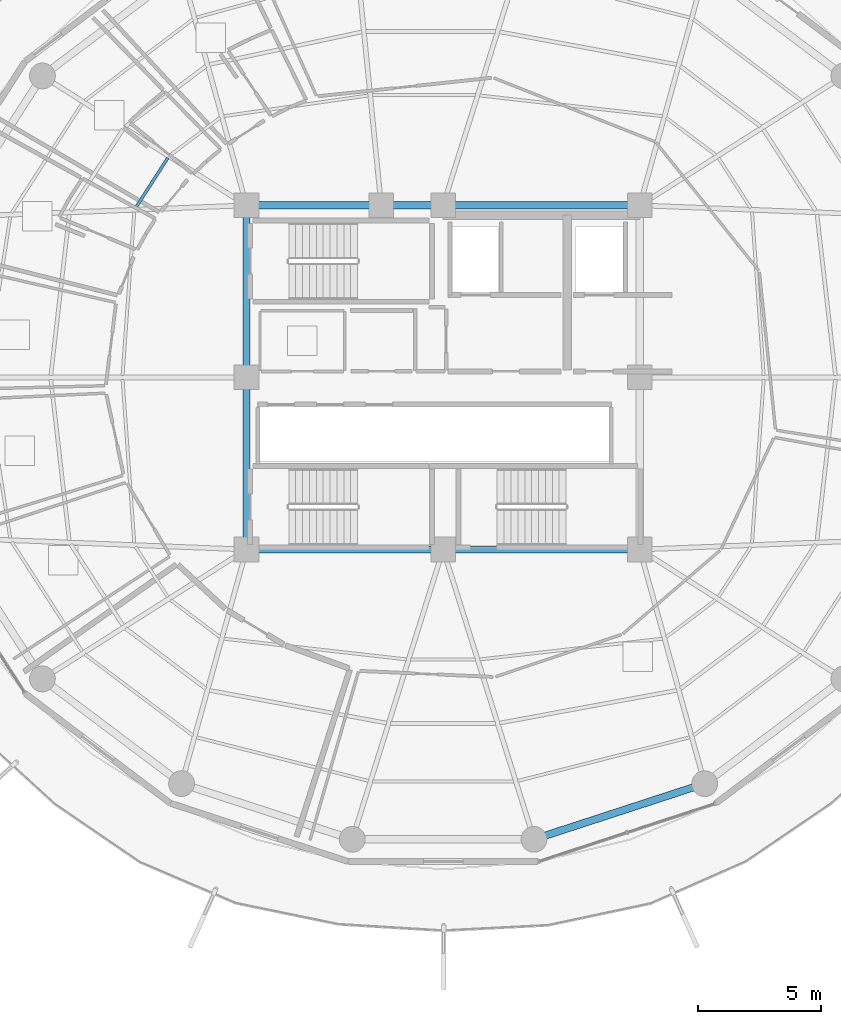
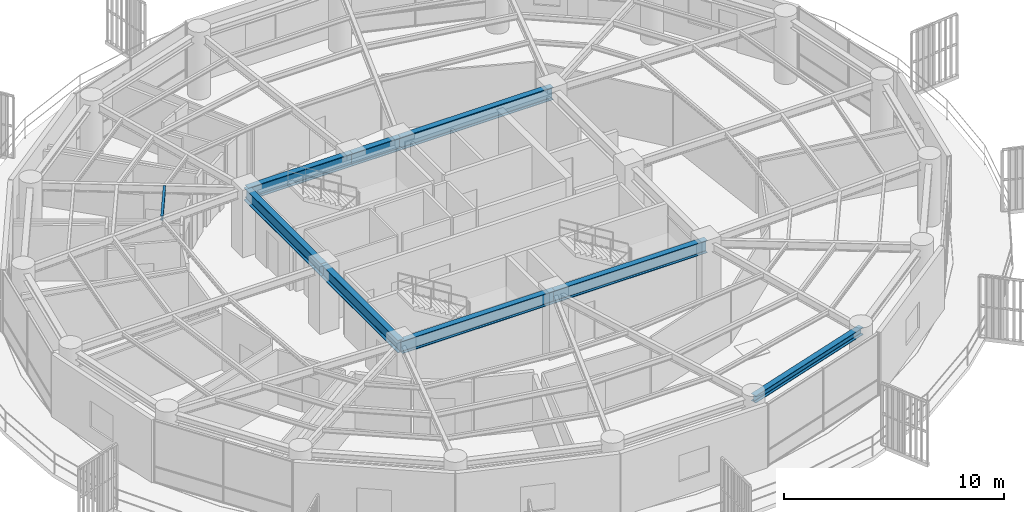
# One storey, part 9 of 31: 9 beams.
"""IFC4 building model written with IfcOpenShell, lengths in metres."""

import ifcopenshell
import ifcopenshell.guid

model = None  # the IFC model being written
_history = None  # IfcOwnerHistory: only IFC2X3 demands one
_inside = {}  # id of a spatial element -> (the spatial element, [elements in it])
_under = {}  # id of a project, library or spatial element -> (it, [spatial elements below it])
_declared = {}  # id of a project -> (the project, [libraries it declares])
_typed = {}  # id of a type object -> (the type object, [elements of that type])
_made_of = {}  # id of a material, layer set ... -> (it, [elements and type objects made of it])


def new_model(schema):
    """Start an empty IFC model of exactly this schema.

    Asked for "IFC4X3", IfcOpenShell would pick the latest addendum, in which some entities
    have other attributes; the version numbers below select the first issue.
    IFC2X3 requires an IfcOwnerHistory on every rooted entity: one is made here for all.
    """
    global model, _history
    if schema == "IFC4X3":
        model = ifcopenshell.file(schema_version=(4, 3, 0, 0))
    else:
        model = ifcopenshell.file(schema=schema)
    _inside.clear()
    _under.clear()
    _declared.clear()
    _typed.clear()
    _made_of.clear()
    _history = None
    if model.schema == "IFC2X3":
        org = make("IfcOrganization", Name="unknown")
        user = make(
            "IfcPersonAndOrganization",
            ThePerson=make("IfcPerson", FamilyName="unknown"),
            TheOrganization=org,
        )
        app = make(
            "IfcApplication",
            ApplicationDeveloper=org,
            Version="unknown",
            ApplicationFullName="unknown",
            ApplicationIdentifier="unknown",
        )
        _history = make(
            "IfcOwnerHistory",
            OwningUser=user,
            OwningApplication=app,
            ChangeAction="ADDED",
            CreationDate=0,
        )
    return model


def make(cls, **values):
    """One entity of the class cls with the attributes given. An attribute that is None is left unset."""
    return model.create_entity(
        cls, **{name: value for name, value in values.items() if value is not None}
    )


def rooted(cls, **values):
    """An entity with a GlobalId (a new one), such as an element, a storey or a relation."""
    return make(cls, GlobalId=ifcopenshell.guid.new(), OwnerHistory=_history, **values)


def si_unit(unit_type, name, prefix=None):
    """IfcSIUnit, for example si_unit("LENGTHUNIT", "METRE", prefix="MILLI")."""
    return make("IfcSIUnit", UnitType=unit_type, Prefix=prefix, Name=name)


def assignment(units):
    """IfcUnitAssignment: the units of a project."""
    return None if units is None else make("IfcUnitAssignment", Units=units)


def point(xyz):
    """IfcCartesianPoint."""
    return None if xyz is None else make("IfcCartesianPoint", Coordinates=xyz)


def direction(xyz):
    """IfcDirection."""
    return None if xyz is None else make("IfcDirection", DirectionRatios=xyz)


def frame(location, z_axis=None, x_axis=None):
    """IfcAxis2Placement3D, a coordinate frame: its origin and axes. An axis left out is left unset."""
    return make(
        "IfcAxis2Placement3D",
        Location=point(location),
        Axis=direction(z_axis),
        RefDirection=direction(x_axis),
    )


def frame_2d(location, x_axis=None):
    """IfcAxis2Placement2D, a coordinate frame in the plane: its origin and x axis."""
    return make(
        "IfcAxis2Placement2D", Location=point(location), RefDirection=direction(x_axis)
    )


def origin():
    """The frame at (0, 0, 0) with its axes left unset."""
    return frame((0.0, 0.0, 0.0))


def origin_2d():
    """The frame at (0, 0) in the plane with its x axis left unset."""
    return frame_2d((0.0, 0.0))


def place(relative_to, where):
    """IfcLocalPlacement: puts the frame where relative to a parent placement (None: the world)."""
    return make(
        "IfcLocalPlacement", PlacementRelTo=relative_to, RelativePlacement=where
    )


def context(
    kind, dimensions, precision=None, world=None, true_north=None, identifier=None
):
    """IfcGeometricRepresentationContext, for example the 3D "Model" context."""
    return make(
        "IfcGeometricRepresentationContext",
        ContextIdentifier=identifier,
        ContextType=kind,
        CoordinateSpaceDimension=dimensions,
        Precision=precision,
        WorldCoordinateSystem=world,
        TrueNorth=true_north,
    )


def subcontext(parent, identifier, kind, view, scale=None):
    """IfcGeometricRepresentationSubContext, for example "Body" below "Model"."""
    return make(
        "IfcGeometricRepresentationSubContext",
        ContextIdentifier=identifier,
        ContextType=kind,
        ParentContext=parent,
        TargetScale=scale,
        TargetView=view,
    )


def project(units=None, contexts=None):
    """IfcProject with its units and contexts."""
    return rooted(
        "IfcProject",
        Name="project",
        RepresentationContexts=contexts,
        UnitsInContext=assignment(units),
    )


def spatial(cls, under=None, at=None, **own):
    """A site, building, storey or space (cls), placed at a placement, below another one or the project."""
    s = rooted(cls, ObjectPlacement=at, **own)
    if under is not None:
        _under.setdefault(under.id(), (under, []))[1].append(s)
    return s


def profile(cls, at=None, kind="AREA", **sizes):
    """A parametric profile (cls). Its sizes go by their IFC names, for example OverallWidth=200.0."""
    return make(cls, ProfileType=kind, Position=at, **sizes)


def i_section(**sizes):
    """IfcIShapeProfileDef."""
    return profile("IfcIShapeProfileDef", **sizes)


def extrude(swept, where, along, depth):
    """IfcExtrudedAreaSolid: the profile swept, set in the frame where, extruded along a direction by depth."""
    return make(
        "IfcExtrudedAreaSolid",
        SweptArea=swept,
        Position=where,
        ExtrudedDirection=direction(along),
        Depth=depth,
    )


def shape(context_of_items, identifier, shape_type, items):
    """IfcShapeRepresentation: the items that make up one representation, for example the "Body"."""
    return make(
        "IfcShapeRepresentation",
        ContextOfItems=context_of_items,
        RepresentationIdentifier=identifier,
        RepresentationType=shape_type,
        Items=items,
    )


def material(Name=None, Category=None):
    """IfcMaterial."""
    return make("IfcMaterial", Name=Name, Category=Category)


def material_profile(
    of_material, cross_section, Name=None, Category=None, Priority=None
):
    """IfcMaterialProfile: a cross section and its material."""
    return make(
        "IfcMaterialProfile",
        Name=Name,
        Material=of_material,
        Profile=cross_section,
        Priority=Priority,
        Category=Category,
    )


def profile_set(profiles, Name=None, composite=None):
    """IfcMaterialProfileSet."""
    return make(
        "IfcMaterialProfileSet",
        Name=Name,
        MaterialProfiles=profiles,
        CompositeProfile=composite,
    )


def made_of(thing, what):
    """Note that an element or type object is made of a material, layer set ...; save() writes the relation."""
    if what is not None:
        _made_of.setdefault(what.id(), (what, []))[1].append(thing)
    return thing


def type_object(cls, material=None, **own):
    """A type object (cls), such as IfcWallType, which elements share."""
    return made_of(rooted(cls, **own), material)


def element(
    cls,
    number,
    at=None,
    inside=None,
    cuts=None,
    type_object=None,
    material=None,
    context=None,
    identifier="Body",
    shape_type=None,
    held_by="IfcProductDefinitionShape",
    body=None,
    shapes=None,
    **own,
):
    """One element of the class cls, such as IfcWall. Its Tag is "e" and its number.

    at: its placement. inside: the storey or other place that contains it. cuts: it is an
    opening in that element (IfcRelVoidsElement). A single representation is given by context,
    identifier, shape_type and body (its items); several are given by shapes. held_by: the class
    of the entity that holds the representations. save() writes the other relations.
    """
    e = rooted(cls, Tag="e%d" % number, ObjectPlacement=at, **own)
    if body is not None:
        shapes = [shape(context, identifier, shape_type, body)]
    if shapes is not None:
        e.Representation = make(held_by, Representations=shapes)
    if inside is not None:
        _inside.setdefault(inside.id(), (inside, []))[1].append(e)
    if cuts is not None:
        rooted(
            "IfcRelVoidsElement", RelatingBuildingElement=cuts, RelatedOpeningElement=e
        )
    if type_object is not None:
        _typed.setdefault(type_object.id(), (type_object, []))[1].append(e)
    return made_of(e, material)


def aggregate(whole, parts):
    """IfcRelAggregates: a whole, such as a stair, and the parts it consists of."""
    return rooted("IfcRelAggregates", RelatingObject=whole, RelatedObjects=parts)


def save(model, path):
    """Write the relations noted so far, then the file.

    IfcRelAggregates (storeys below a building ...), IfcRelContainedInSpatialStructure (elements
    in a storey), IfcRelDefinesByType, IfcRelAssociatesMaterial and IfcRelDeclares: one each for
    every whole, place, type object, material and project.
    """
    for whole, parts in _under.values():
        aggregate(whole, parts)
    for where, things in _inside.values():
        rooted(
            "IfcRelContainedInSpatialStructure",
            RelatedElements=things,
            RelatingStructure=where,
        )
    for kind, things in _typed.values():
        rooted("IfcRelDefinesByType", RelatedObjects=things, RelatingType=kind)
    for what, things in _made_of.values():
        rooted("IfcRelAssociatesMaterial", RelatedObjects=things, RelatingMaterial=what)
    for by, libraries in _declared.values():
        rooted("IfcRelDeclares", RelatingContext=by, RelatedDefinitions=libraries)
    model.write(path)


model = new_model("IFC4")

# Units and contexts
model_context = context("Model", 3, precision=1e-05, world=origin(), true_north=direction((0.0, 1.0)))
body_context = subcontext(model_context, "Body", "Model", "MODEL_VIEW")
ifc_project = project(units=[si_unit("LENGTHUNIT", "METRE"), si_unit("AREAUNIT", "SQUARE_METRE"), si_unit("VOLUMEUNIT", "CUBIC_METRE"), si_unit("PLANEANGLEUNIT", "RADIAN"), si_unit("MASSUNIT", "GRAM", prefix="KILO")], contexts=[model_context])

# Site, building, storey
site_placement = place(None, origin())
site = spatial("IfcSite", under=ifc_project, at=site_placement, CompositionType="ELEMENT")
building_placement = place(site_placement, origin())
building = spatial("IfcBuilding", under=site, at=building_placement, Name="Kelanora Arch Commons", CompositionType="ELEMENT")
storey_placement = place(building_placement, frame((0.0, 0.0, 226.949951171875)))
storey = spatial("IfcBuildingStorey", under=building, at=storey_placement, Name="L58", CompositionType="ELEMENT", Elevation=226.949951171875)

# Beams
ifc_material = material(Name="Steel S355", Category="steel")
ifc_material_profile_1 = material_profile(ifc_material, i_section(OverallWidth=0.300048828125, OverallDepth=0.699951171875, WebThickness=0.01708984375, FlangeThickness=0.031982421875, FilletRadius=0.027099609375, at=origin_2d()), Name="HEB700")
ifc_profile_set_1 = profile_set([ifc_material_profile_1], Name="Steel S355")
beam_type_1 = type_object("IfcBeamType", Name="BM-CORE-HDR", PredefinedType="BEAM", material=ifc_profile_set_1)
for number, where, z_axis, x_axis, name in (
    (1, (66.0, 51.0, 3.14013671875), (1.0, 0.0, 0.0), (0.0, 1.0, 0.0), "Core Header Beam 01 L58"),
    (2, (74.0, 51.0, 3.14013671875), (1.0, 0.0, 0.0), (0.0, 1.0, 0.0), "Core Header Beam 02 L58"),
    (3, (82.0, 65.0, 3.14013671875), (-1.0, 0.0, 0.0), (0.0, -1.0, 0.0), "Core Header Beam 05 L58"),
):
    element("IfcBeam", number, at=place(storey_placement, frame(where, z_axis=z_axis, x_axis=x_axis)), inside=storey, type_object=beam_type_1, Name=name, PredefinedType="BEAM", context=body_context, shape_type="SweptSolid", body=[
        extrude(i_section(OverallWidth=0.300048828125, OverallDepth=0.699951171875, WebThickness=0.01708984375, FlangeThickness=0.031982421875, FilletRadius=0.027099609375, at=origin_2d()), origin(), (0.0, 0.0, 1.0), 8.0),
    ])
beam_1_placement = place(storey_placement, frame((74.0, 65.0, 3.14013671875), z_axis=(-1.0, 0.0, 0.0), x_axis=(0.0, -1.0, 0.0)))
element("IfcBeam", 4, at=beam_1_placement, inside=storey, type_object=beam_type_1, Name="Core Header Beam 06 L58", PredefinedType="BEAM", context=body_context, shape_type="SweptSolid", body=[
    extrude(i_section(OverallWidth=0.300048828125, OverallDepth=0.699951171875, WebThickness=0.01708984375, FlangeThickness=0.031982421875, FilletRadius=0.027099609375, at=origin_2d()), origin(), (0.0, 0.0, 1.0), 2.52001953125),
])
beam_2_placement = place(storey_placement, frame((71.47998046875, 65.0, 3.14013671875), z_axis=(-1.0, 0.0, 0.0), x_axis=(0.0, -1.0, 0.0)))
element("IfcBeam", 5, at=beam_2_placement, inside=storey, type_object=beam_type_1, Name="Core Header Beam 07 L58", PredefinedType="BEAM", context=body_context, shape_type="SweptSolid", body=[
    extrude(i_section(OverallWidth=0.300048828125, OverallDepth=0.699951171875, WebThickness=0.01708984375, FlangeThickness=0.031982421875, FilletRadius=0.027099609375, at=origin_2d()), origin(), (0.0, 0.0, 1.0), 5.47998046875),
])
for number, where, z_axis, x_axis, name in (
    (6, (66.0, 65.0, 3.14013671875), (0.0, -1.0, 0.0), (1.0, 0.0, 0.0), "Core Header Beam 08 L58"),
    (7, (66.0, 58.0, 3.14013671875), (0.0, -1.0, 0.0), (1.0, 0.0, 0.0), "Core Header Beam 09 L58"),
):
    element("IfcBeam", number, at=place(storey_placement, frame(where, z_axis=z_axis, x_axis=x_axis)), inside=storey, type_object=beam_type_1, Name=name, PredefinedType="BEAM", context=body_context, shape_type="SweptSolid", body=[
        extrude(i_section(OverallWidth=0.300048828125, OverallDepth=0.699951171875, WebThickness=0.01708984375, FlangeThickness=0.031982421875, FilletRadius=0.027099609375, at=origin_2d()), origin(), (0.0, 0.0, 1.0), 7.0),
    ])
ifc_material_profile_2 = material_profile(ifc_material, i_section(OverallWidth=0.1201171875, OverallDepth=0.239990234375, WebThickness=0.006103515625, FlangeThickness=0.009765625, FilletRadius=0.014892578125, at=origin_2d()), Name="IPE240")
ifc_profile_set_2 = profile_set([ifc_material_profile_2], Name="Steel S355")
beam_type_2 = type_object("IfcBeamType", Name="BM-JST-02", PredefinedType="JOIST", material=ifc_profile_set_2)
beam_3_placement = place(storey_placement, frame((62.79931640625, 66.928955078125, 3.3701171875), z_axis=(-0.541332763503, -0.840808443796, 0.0), x_axis=(0.840808443796, -0.541332763503, 0.0)))
element("IfcBeam", 8, at=beam_3_placement, inside=storey, type_object=beam_type_2, Name="Secondary Chord Joist BJA-14 L58", PredefinedType="JOIST", context=body_context, shape_type="SweptSolid", body=[
    extrude(i_section(OverallWidth=0.1201171875, OverallDepth=0.239990234375, WebThickness=0.006103515625, FlangeThickness=0.009765625, FilletRadius=0.014892578125, at=origin_2d()), origin(), (0.0, 0.0, 1.0), 2.423583984375),
])
ifc_material_profile_3 = material_profile(ifc_material, i_section(OverallWidth=0.300048828125, OverallDepth=0.39990234375, WebThickness=0.013427734375, FlangeThickness=0.02392578125, FilletRadius=0.027099609375, at=origin_2d()), Name="HEB400")
ifc_profile_set_3 = profile_set([ifc_material_profile_3], Name="Steel S355")
beam_type_3 = type_object("IfcBeamType", Name="BM-SPN-Z4", PredefinedType="SPANDREL", material=ifc_profile_set_3)
beam_4_placement = place(storey_placement, frame((77.6953125, 39.2099609375, 3.2900390625), z_axis=(0.950656361143, 0.310245842872, 0.0), x_axis=(-0.310245842872, 0.950656361143, 0.0)))
element("IfcBeam", 9, at=beam_4_placement, inside=storey, type_object=beam_type_3, Name="Perimeter Spandrel Beam BS-28 L58", PredefinedType="SPANDREL", context=body_context, shape_type="SweptSolid", body=[
    extrude(i_section(OverallWidth=0.300048828125, OverallDepth=0.39990234375, WebThickness=0.013427734375, FlangeThickness=0.02392578125, FilletRadius=0.027099609375, at=origin_2d()), origin(), (0.0, 0.0, 1.0), 7.304931640625),
])

save(model, "model.ifc")
